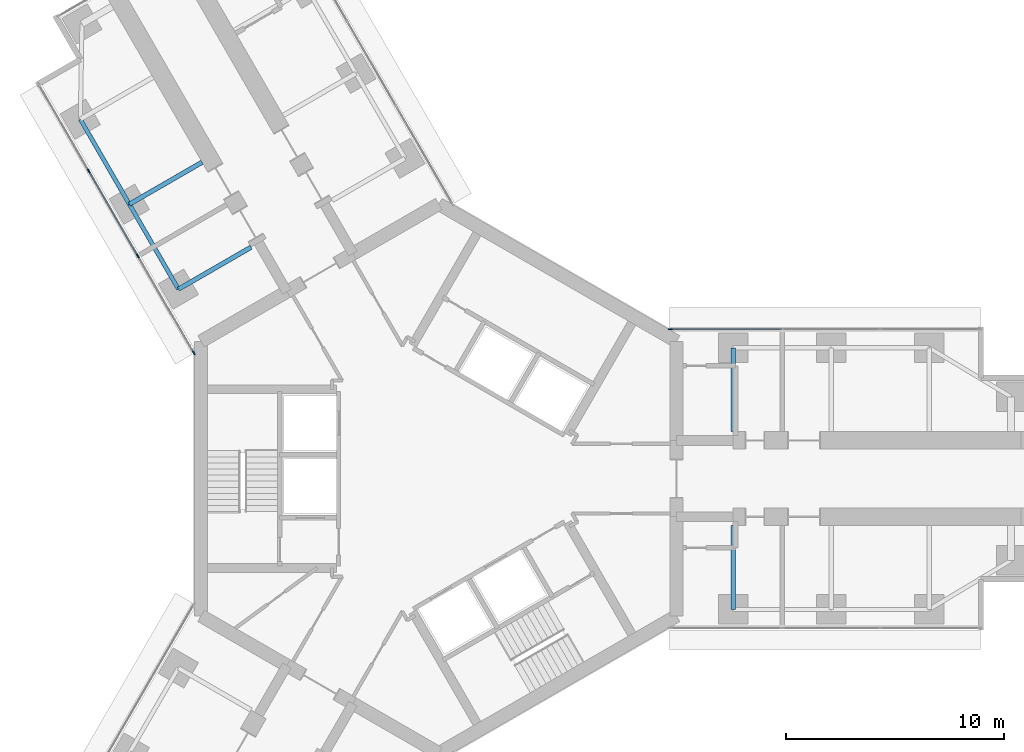
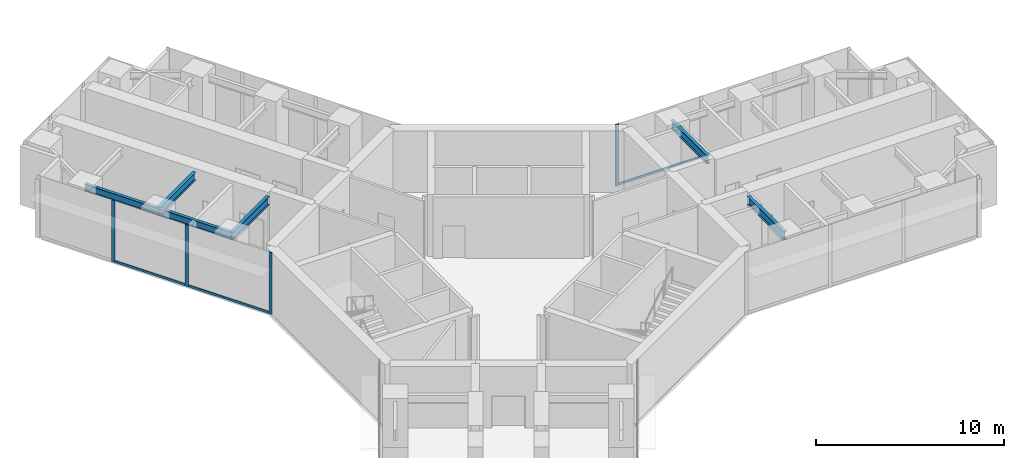
# One storey, part 5 of 21: 7 members, 6 beams, 2 elements without a shape of their own.
"""IFC4 building model written with IfcOpenShell, lengths in metres."""

from ifc_helpers import new_model, si_unit, direction, frame, origin, origin_2d, place, context, subcontext, project, spatial, rectangle, i_section, extrude, material, material_profile, profile_set, type_object, element, aggregate, save


model = new_model("IFC4")

# Units and contexts
model_context = context("Model", 3, precision=1e-05, world=origin(), true_north=direction((0.0, 1.0)))
body_context = subcontext(model_context, "Body", "Model", "MODEL_VIEW")
ifc_project = project(units=[si_unit("LENGTHUNIT", "METRE"), si_unit("AREAUNIT", "SQUARE_METRE"), si_unit("VOLUMEUNIT", "CUBIC_METRE"), si_unit("PLANEANGLEUNIT", "RADIAN"), si_unit("MASSUNIT", "GRAM", prefix="KILO")], contexts=[model_context])

# Site, building, storey
site_placement = place(None, origin())
site = spatial("IfcSite", under=ifc_project, at=site_placement, CompositionType="ELEMENT")
building_placement = place(site_placement, origin())
building = spatial("IfcBuilding", under=site, at=building_placement, Name="Upepo Twin Towers", CompositionType="ELEMENT")
storey_placement = place(building_placement, frame((0.0, 0.0, 101.5)))
storey = spatial("IfcBuildingStorey", under=building, at=storey_placement, Name="L24", CompositionType="ELEMENT", Elevation=101.5)

# Beams
ifc_material_1 = material(Name="Steel S355", Category="steel")
ifc_material_profile_1 = material_profile(ifc_material_1, i_section(OverallWidth=0.1904296875, OverallDepth=0.45703125, WebThickness=0.009033203125, FlangeThickness=0.014404296875, FilletRadius=0.01025390625, at=origin_2d()), Name="UB 457x191x74")
ifc_profile_set_1 = profile_set([ifc_material_profile_1], Name="Steel S355")
beam_type_1 = type_object("IfcBeamType", Name="Beam UB 457x191x74", PredefinedType="BEAM", material=ifc_profile_set_1)
beam_1_placement = place(storey_placement, frame((-11.946044921875, 8.69140625, 3.571533203125), z_axis=(-0.500013631625, 0.866017533419, 0.0), x_axis=(-0.866017533419, -0.500013631625, 0.0)))
element("IfcBeam", 1, at=beam_1_placement, inside=storey, type_object=beam_type_1, Name="T1 edge beam BL 13.5-18.0", PredefinedType="BEAM", context=body_context, shape_type="SweptSolid", body=[
    extrude(i_section(OverallWidth=0.1904296875, OverallDepth=0.45703125, WebThickness=0.009033203125, FlangeThickness=0.014404296875, FilletRadius=0.01025390625, at=origin_2d()), origin(), (0.0, 0.0, 1.0), 4.499755859375),
])
beam_2_placement = place(storey_placement, frame((-14.196044921875, 12.58837890625, 3.571533203125), z_axis=(-0.499990139034, 0.866031096941, 0.0), x_axis=(-0.866031096941, -0.499990139034, 0.0)))
element("IfcBeam", 2, at=beam_2_placement, inside=storey, type_object=beam_type_1, Name="T1 edge beam BL 18.0-22.5", PredefinedType="BEAM", context=body_context, shape_type="SweptSolid", body=[
    extrude(i_section(OverallWidth=0.1904296875, OverallDepth=0.45703125, WebThickness=0.009033203125, FlangeThickness=0.014404296875, FilletRadius=0.01025390625, at=origin_2d()), origin(), (0.0, 0.0, 1.0), 4.5),
])
ifc_material_2 = material(Name="Steel S355", Category="steel")
ifc_material_profile_2 = material_profile(ifc_material_2, i_section(OverallWidth=0.209228515625, OverallDepth=0.533203125, WebThickness=0.010009765625, FlangeThickness=0.015625, FilletRadius=0.0126953125, at=origin_2d()), Name="UB 533x210x92")
ifc_profile_set_2 = profile_set([ifc_material_profile_2], Name="Steel S355")
beam_type_2 = type_object("IfcBeamType", Name="Beam UB 533x210x92", PredefinedType="BEAM", material=ifc_profile_set_2)
for number, where, z_axis, x_axis, name in (
    (3, (13.5, 6.0, 3.533447265625), (0.0, -1.0, 0.0), (1.0, 0.0, 0.0), "T1 girder AL at 13.5"),
    (4, (13.5, -6.0, 3.533447265625), (0.0, 1.0, 0.0), (-1.0, 0.0, 0.0), "T1 girder AR at 13.5"),
):
    element("IfcBeam", number, at=place(storey_placement, frame(where, z_axis=z_axis, x_axis=x_axis)), inside=storey, type_object=beam_type_2, Name=name, PredefinedType="BEAM", context=body_context, shape_type="SweptSolid", body=[
        extrude(i_section(OverallWidth=0.209228515625, OverallDepth=0.533203125, WebThickness=0.010009765625, FlangeThickness=0.015625, FilletRadius=0.0126953125, at=origin_2d()), origin(), (0.0, 0.0, 1.0), 3.85009765625),
    ])
for number, where, z_axis, x_axis, name in (
    (5, (-11.946044921875, 8.69140625, 3.533447265625), (0.866006051527, 0.500033517596, 0.0), (-0.500033517596, 0.866006051527, 0.0), "T1 girder BL at 13.5"),
    (6, (-14.196044921875, 12.58837890625, 3.533447265625), (0.866006051527, 0.500033517596, 0.0), (-0.500033517596, 0.866006051527, 0.0), "T1 girder BL at 18.0"),
):
    element("IfcBeam", number, at=place(storey_placement, frame(where, z_axis=z_axis, x_axis=x_axis)), inside=storey, type_object=beam_type_2, Name=name, PredefinedType="BEAM", context=body_context, shape_type="SweptSolid", body=[
        extrude(i_section(OverallWidth=0.209228515625, OverallDepth=0.533203125, WebThickness=0.010009765625, FlangeThickness=0.015625, FilletRadius=0.0126953125, at=origin_2d()), origin(), (0.0, 0.0, 1.0), 3.849853515625),
    ])

# Curtain wall, member
ifc_material_3 = material(Name="Aluminium and fritted glass", Category="aluminium")
curtain_wall_type = type_object("IfcCurtainWallType", Name="Tower curtain wall TW2, fritted glass", PredefinedType="NOTDEFINED", material=ifc_material_3)
curtain_wall_1_placement = place(storey_placement, origin())
curtain_wall_1 = element("IfcCurtainWall", 7, at=curtain_wall_1_placement, inside=storey, type_object=curtain_wall_type, Name="T1 L24 wing A flank L curtain wall", PredefinedType="NOTDEFINED")
ifc_material_4 = material(Name="Aluminium mullion", Category="aluminium")
ifc_material_profile_3 = material_profile(ifc_material_4, rectangle(XDim=0.06494140625, YDim=0.199951171875, at=origin_2d()), Name="MULLION 65x200")
ifc_profile_set_3 = profile_set([ifc_material_profile_3], Name="Aluminium mullion")
member_type_1 = type_object("IfcMemberType", Name="Mullion 65x200 TW2", PredefinedType="MULLION", material=ifc_profile_set_3)
member_1_placement = place(storey_placement, frame((10.61962890625, 6.85009765625, 0.0), z_axis=(0.0, 0.0, 1.0), x_axis=(0.0, 1.0, 0.0)))
member_1 = element("IfcMember", 8, at=member_1_placement, type_object=member_type_1, Name="T1 L24 wing A flank L curtain wall mullion 1", PredefinedType="MULLION", context=body_context, shape_type="SweptSolid", body=[
    extrude(rectangle(XDim=0.06494140625, YDim=0.199951171875, at=origin_2d()), origin(), (0.0, 0.0, 1.0), 4.0),
])

# Curtain wall, members
curtain_wall_2_placement = place(storey_placement, origin())
curtain_wall_2 = element("IfcCurtainWall", 9, at=curtain_wall_2_placement, inside=storey, type_object=curtain_wall_type, Name="T1 L24 wing B flank L curtain wall", PredefinedType="NOTDEFINED")
member_2_placement = place(storey_placement, frame((-11.2421875, 5.77197265625, 0.0), z_axis=(0.0, 0.0, 1.0), x_axis=(-0.866025397833, -0.500000010308, 0.0)))
member_2 = element("IfcMember", 10, at=member_2_placement, type_object=member_type_1, Name="T1 L24 wing B flank L curtain wall mullion 1", PredefinedType="MULLION", context=body_context, shape_type="SweptSolid", body=[
    extrude(rectangle(XDim=0.06494140625, YDim=0.199951171875, at=origin_2d()), origin(), (0.0, 0.0, 1.0), 4.0),
])
member_3_placement = place(storey_placement, frame((-13.807373046875, 10.21484375, 0.0), z_axis=(0.0, 0.0, 1.0), x_axis=(-0.866025397833, -0.500000010308, 0.0)))
member_3 = element("IfcMember", 11, at=member_3_placement, type_object=member_type_1, Name="T1 L24 wing B flank L curtain wall mullion 2", PredefinedType="MULLION", context=body_context, shape_type="SweptSolid", body=[
    extrude(rectangle(XDim=0.06494140625, YDim=0.199951171875, at=origin_2d()), origin(), (0.0, 0.0, 1.0), 4.0),
])
member_4_placement = place(storey_placement, frame((-16.057373046875, 14.112060546875, 0.0), z_axis=(0.0, 0.0, 1.0), x_axis=(-0.866025397833, -0.500000010308, 0.0)))
member_4 = element("IfcMember", 12, at=member_4_placement, type_object=member_type_1, Name="T1 L24 wing B flank L curtain wall mullion 3", PredefinedType="MULLION", context=body_context, shape_type="SweptSolid", body=[
    extrude(rectangle(XDim=0.06494140625, YDim=0.199951171875, at=origin_2d()), origin(), (0.0, 0.0, 1.0), 4.0),
])

# Member
ifc_material_5 = material(Name="Aluminium transom", Category="aluminium")
ifc_material_profile_4 = material_profile(ifc_material_5, rectangle(XDim=0.06494140625, YDim=0.14990234375, at=origin_2d()), Name="TRANSOM 65x150")
ifc_profile_set_4 = profile_set([ifc_material_profile_4], Name="Aluminium transom")
member_type_2 = type_object("IfcMemberType", Name="Transom 65x150 TW2", PredefinedType="USERDEFINED", material=ifc_profile_set_4)
member_5_placement = place(storey_placement, frame((10.652099609375, 6.85009765625, 0.074951171875), z_axis=(1.0, 0.0, 0.0), x_axis=(0.0, 1.0, 0.0)))
member_5 = element("IfcMember", 13, at=member_5_placement, type_object=member_type_2, Name="T1 L24 wing A flank L curtain wall transom 1", ObjectType="TRANSOM", PredefinedType="USERDEFINED", context=body_context, shape_type="SweptSolid", body=[
    extrude(rectangle(XDim=0.06494140625, YDim=0.14990234375, at=origin_2d()), origin(), (0.0, 0.0, 1.0), 5.0654296875),
])

aggregate(curtain_wall_1, [member_1, member_5])

member_6_placement = place(storey_placement, frame((-11.25830078125, 5.800048828125, 0.074951171875), z_axis=(-0.500006158363, 0.866021848223, 0.0), x_axis=(-0.866021848223, -0.500006158363, 0.0)))
member_6 = element("IfcMember", 14, at=member_6_placement, type_object=member_type_2, Name="T1 L24 wing B flank L curtain wall transom 1", ObjectType="TRANSOM", PredefinedType="USERDEFINED", context=body_context, shape_type="SweptSolid", body=[
    extrude(rectangle(XDim=0.06494140625, YDim=0.14990234375, at=origin_2d()), origin(), (0.0, 0.0, 1.0), 5.0654296875),
])

member_7_placement = place(storey_placement, frame((-13.823486328125, 10.2431640625, 0.074951171875), z_axis=(-0.500005184116, 0.866022410713, 0.0), x_axis=(-0.866022410713, -0.500005184116, 0.0)))
member_7 = element("IfcMember", 15, at=member_7_placement, type_object=member_type_2, Name="T1 L24 wing B flank L curtain wall transom 2", ObjectType="TRANSOM", PredefinedType="USERDEFINED", context=body_context, shape_type="SweptSolid", body=[
    extrude(rectangle(XDim=0.06494140625, YDim=0.14990234375, at=origin_2d()), origin(), (0.0, 0.0, 1.0), 4.43505859375),
])

aggregate(curtain_wall_2, [member_2, member_3, member_4, member_6, member_7])

save(model, "model.ifc")
